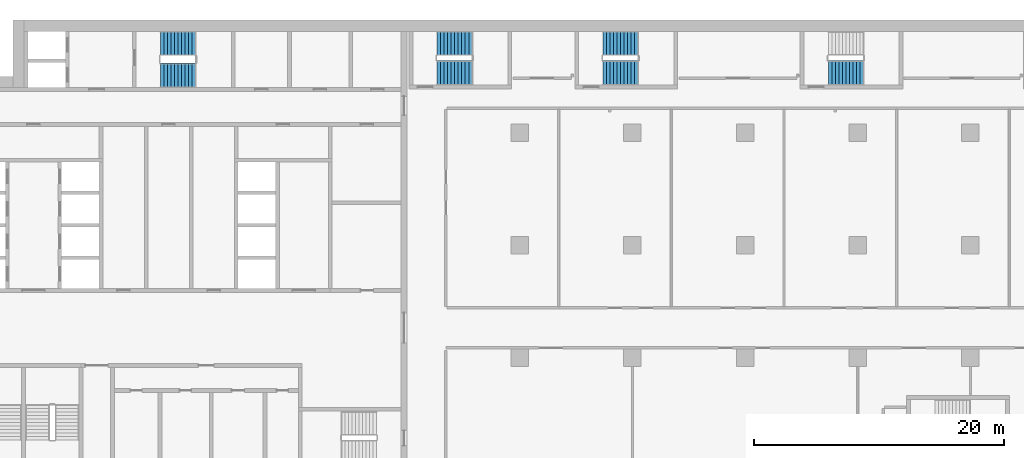
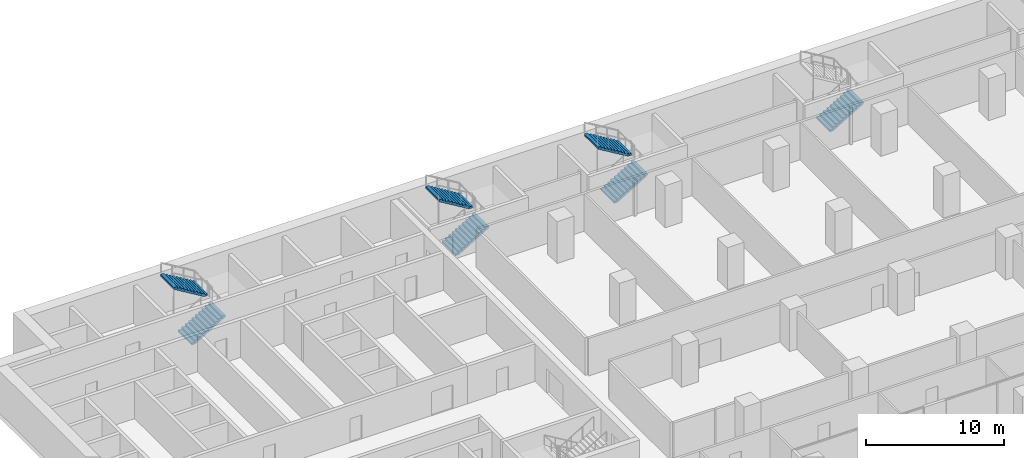
# One storey, part 22 of 29: 7 stair flights, 4 elements without a shape of their own.
"""IFC4 building model written with IfcOpenShell, lengths in metres."""

import ifcopenshell
import ifcopenshell.guid

model = None  # the IFC model being written
_history = None  # IfcOwnerHistory: only IFC2X3 demands one
_inside = {}  # id of a spatial element -> (the spatial element, [elements in it])
_under = {}  # id of a project, library or spatial element -> (it, [spatial elements below it])
_declared = {}  # id of a project -> (the project, [libraries it declares])
_typed = {}  # id of a type object -> (the type object, [elements of that type])
_made_of = {}  # id of a material, layer set ... -> (it, [elements and type objects made of it])


def new_model(schema):
    """Start an empty IFC model of exactly this schema.

    Asked for "IFC4X3", IfcOpenShell would pick the latest addendum, in which some entities
    have other attributes; the version numbers below select the first issue.
    IFC2X3 requires an IfcOwnerHistory on every rooted entity: one is made here for all.
    """
    global model, _history
    if schema == "IFC4X3":
        model = ifcopenshell.file(schema_version=(4, 3, 0, 0))
    else:
        model = ifcopenshell.file(schema=schema)
    _inside.clear()
    _under.clear()
    _declared.clear()
    _typed.clear()
    _made_of.clear()
    _history = None
    if model.schema == "IFC2X3":
        org = make("IfcOrganization", Name="unknown")
        user = make(
            "IfcPersonAndOrganization",
            ThePerson=make("IfcPerson", FamilyName="unknown"),
            TheOrganization=org,
        )
        app = make(
            "IfcApplication",
            ApplicationDeveloper=org,
            Version="unknown",
            ApplicationFullName="unknown",
            ApplicationIdentifier="unknown",
        )
        _history = make(
            "IfcOwnerHistory",
            OwningUser=user,
            OwningApplication=app,
            ChangeAction="ADDED",
            CreationDate=0,
        )
    return model


def make(cls, **values):
    """One entity of the class cls with the attributes given. An attribute that is None is left unset."""
    return model.create_entity(
        cls, **{name: value for name, value in values.items() if value is not None}
    )


def rooted(cls, **values):
    """An entity with a GlobalId (a new one), such as an element, a storey or a relation."""
    return make(cls, GlobalId=ifcopenshell.guid.new(), OwnerHistory=_history, **values)


def si_unit(unit_type, name, prefix=None):
    """IfcSIUnit, for example si_unit("LENGTHUNIT", "METRE", prefix="MILLI")."""
    return make("IfcSIUnit", UnitType=unit_type, Prefix=prefix, Name=name)


def assignment(units):
    """IfcUnitAssignment: the units of a project."""
    return None if units is None else make("IfcUnitAssignment", Units=units)


def point(xyz):
    """IfcCartesianPoint."""
    return None if xyz is None else make("IfcCartesianPoint", Coordinates=xyz)


def direction(xyz):
    """IfcDirection."""
    return None if xyz is None else make("IfcDirection", DirectionRatios=xyz)


def frame(location, z_axis=None, x_axis=None):
    """IfcAxis2Placement3D, a coordinate frame: its origin and axes. An axis left out is left unset."""
    return make(
        "IfcAxis2Placement3D",
        Location=point(location),
        Axis=direction(z_axis),
        RefDirection=direction(x_axis),
    )


def origin():
    """The frame at (0, 0, 0) with its axes left unset."""
    return frame((0.0, 0.0, 0.0))


def place(relative_to, where):
    """IfcLocalPlacement: puts the frame where relative to a parent placement (None: the world)."""
    return make(
        "IfcLocalPlacement", PlacementRelTo=relative_to, RelativePlacement=where
    )


def context(
    kind, dimensions, precision=None, world=None, true_north=None, identifier=None
):
    """IfcGeometricRepresentationContext, for example the 3D "Model" context."""
    return make(
        "IfcGeometricRepresentationContext",
        ContextIdentifier=identifier,
        ContextType=kind,
        CoordinateSpaceDimension=dimensions,
        Precision=precision,
        WorldCoordinateSystem=world,
        TrueNorth=true_north,
    )


def subcontext(parent, identifier, kind, view, scale=None):
    """IfcGeometricRepresentationSubContext, for example "Body" below "Model"."""
    return make(
        "IfcGeometricRepresentationSubContext",
        ContextIdentifier=identifier,
        ContextType=kind,
        ParentContext=parent,
        TargetScale=scale,
        TargetView=view,
    )


def project(units=None, contexts=None):
    """IfcProject with its units and contexts."""
    return rooted(
        "IfcProject",
        Name="project",
        RepresentationContexts=contexts,
        UnitsInContext=assignment(units),
    )


def spatial(cls, under=None, at=None, **own):
    """A site, building, storey or space (cls), placed at a placement, below another one or the project."""
    s = rooted(cls, ObjectPlacement=at, **own)
    if under is not None:
        _under.setdefault(under.id(), (under, []))[1].append(s)
    return s


def polyline(points):
    """IfcPolyline through the points."""
    return make("IfcPolyline", Points=[point(p) for p in points])


def outline(outer, holes=None, kind="AREA"):
    """IfcArbitraryClosedProfileDef: a profile drawn as a closed curve; with holes, ...WithVoids."""
    if holes is None:
        return make("IfcArbitraryClosedProfileDef", ProfileType=kind, OuterCurve=outer)
    return make(
        "IfcArbitraryProfileDefWithVoids",
        ProfileType=kind,
        OuterCurve=outer,
        InnerCurves=holes,
    )


def extrude(swept, where, along, depth):
    """IfcExtrudedAreaSolid: the profile swept, set in the frame where, extruded along a direction by depth."""
    return make(
        "IfcExtrudedAreaSolid",
        SweptArea=swept,
        Position=where,
        ExtrudedDirection=direction(along),
        Depth=depth,
    )


def shape(context_of_items, identifier, shape_type, items):
    """IfcShapeRepresentation: the items that make up one representation, for example the "Body"."""
    return make(
        "IfcShapeRepresentation",
        ContextOfItems=context_of_items,
        RepresentationIdentifier=identifier,
        RepresentationType=shape_type,
        Items=items,
    )


def material(Name=None, Category=None):
    """IfcMaterial."""
    return make("IfcMaterial", Name=Name, Category=Category)


def made_of(thing, what):
    """Note that an element or type object is made of a material, layer set ...; save() writes the relation."""
    if what is not None:
        _made_of.setdefault(what.id(), (what, []))[1].append(thing)
    return thing


def type_object(cls, material=None, **own):
    """A type object (cls), such as IfcWallType, which elements share."""
    return made_of(rooted(cls, **own), material)


def element(
    cls,
    number,
    at=None,
    inside=None,
    cuts=None,
    type_object=None,
    material=None,
    context=None,
    identifier="Body",
    shape_type=None,
    held_by="IfcProductDefinitionShape",
    body=None,
    shapes=None,
    **own,
):
    """One element of the class cls, such as IfcWall. Its Tag is "e" and its number.

    at: its placement. inside: the storey or other place that contains it. cuts: it is an
    opening in that element (IfcRelVoidsElement). A single representation is given by context,
    identifier, shape_type and body (its items); several are given by shapes. held_by: the class
    of the entity that holds the representations. save() writes the other relations.
    """
    e = rooted(cls, Tag="e%d" % number, ObjectPlacement=at, **own)
    if body is not None:
        shapes = [shape(context, identifier, shape_type, body)]
    if shapes is not None:
        e.Representation = make(held_by, Representations=shapes)
    if inside is not None:
        _inside.setdefault(inside.id(), (inside, []))[1].append(e)
    if cuts is not None:
        rooted(
            "IfcRelVoidsElement", RelatingBuildingElement=cuts, RelatedOpeningElement=e
        )
    if type_object is not None:
        _typed.setdefault(type_object.id(), (type_object, []))[1].append(e)
    return made_of(e, material)


def aggregate(whole, parts):
    """IfcRelAggregates: a whole, such as a stair, and the parts it consists of."""
    return rooted("IfcRelAggregates", RelatingObject=whole, RelatedObjects=parts)


def save(model, path):
    """Write the relations noted so far, then the file.

    IfcRelAggregates (storeys below a building ...), IfcRelContainedInSpatialStructure (elements
    in a storey), IfcRelDefinesByType, IfcRelAssociatesMaterial and IfcRelDeclares: one each for
    every whole, place, type object, material and project.
    """
    for whole, parts in _under.values():
        aggregate(whole, parts)
    for where, things in _inside.values():
        rooted(
            "IfcRelContainedInSpatialStructure",
            RelatedElements=things,
            RelatingStructure=where,
        )
    for kind, things in _typed.values():
        rooted("IfcRelDefinesByType", RelatedObjects=things, RelatingType=kind)
    for what, things in _made_of.values():
        rooted("IfcRelAssociatesMaterial", RelatedObjects=things, RelatingMaterial=what)
    for by, libraries in _declared.values():
        rooted("IfcRelDeclares", RelatingContext=by, RelatedDefinitions=libraries)
    model.write(path)


model = new_model("IFC4")

# Units and contexts
model_context = context("Model", 3, precision=1e-05, world=origin(), true_north=direction((0.0, 1.0)))
body_context = subcontext(model_context, "Body", "Model", "MODEL_VIEW")
ifc_project = project(units=[si_unit("LENGTHUNIT", "METRE"), si_unit("AREAUNIT", "SQUARE_METRE"), si_unit("VOLUMEUNIT", "CUBIC_METRE"), si_unit("PLANEANGLEUNIT", "RADIAN"), si_unit("MASSUNIT", "GRAM", prefix="KILO")], contexts=[model_context])

# Site, building, storey
site_placement = place(None, origin())
site = spatial("IfcSite", under=ifc_project, at=site_placement, CompositionType="ELEMENT")
building_placement = place(site_placement, origin())
building = spatial("IfcBuilding", under=site, at=building_placement, Name="Hunhe Ridgeline Campus", CompositionType="ELEMENT")
storey_placement = place(building_placement, frame((0.0, 0.0, 46.89990234375)))
storey = spatial("IfcBuildingStorey", under=building, at=storey_placement, Name="L10", CompositionType="ELEMENT", Elevation=46.89990234375)

# Stair, stair flights
ifc_material = material(Name="Concrete C40", Category="concrete")
stair_type = type_object("IfcStairType", Name="Reinforced concrete dog-leg stair 1950 Concrete C40", PredefinedType="HALF_TURN_STAIR", material=ifc_material)
stair_1_placement = place(storey_placement, origin())
stair_1 = element("IfcStair", 1, at=stair_1_placement, inside=storey, type_object=stair_type, Name="L10 S1", PredefinedType="HALF_TURN_STAIR")
stair_flight_type = type_object("IfcStairFlightType", Name="Reinforced concrete stair flight 1950 Concrete C40", PredefinedType="STRAIGHT", material=ifc_material)
stair_flight_1_placement = place(storey_placement, frame((16.300048828125, 94.574951171875, 0.0), z_axis=(0.0, 0.0, 1.0), x_axis=(1.0, 0.0, 0.0)))
stair_flight_1 = element("IfcStairFlight", 2, at=stair_flight_1_placement, type_object=stair_flight_type, Name="ST1 flight 1", NumberOfRisers=11, NumberOfTreads=10, PredefinedType="STRAIGHT", RiserHeight=0.168181818, TreadLength=0.28, context=body_context, shape_type="SweptSolid", body=[
    extrude(outline(polyline([(0.0, 0.0), (0.0, 0.168212890625), (0.280029296875, 0.168212890625), (0.280029296875, 0.33642578125), (0.56005859375, 0.33642578125), (0.56005859375, 0.504638671875), (0.840087890625, 0.504638671875), (0.840087890625, 0.672607421875), (1.1201171875, 0.672607421875), (1.1201171875, 0.8408203125), (1.39990234375, 0.8408203125), (1.39990234375, 1.009033203125), (1.679931640625, 1.009033203125), (1.679931640625, 1.17724609375), (1.9599609375, 1.17724609375), (1.9599609375, 1.345458984375), (2.239990234375, 1.345458984375), (2.239990234375, 1.513671875), (2.52001953125, 1.513671875), (2.52001953125, 1.681884765625), (2.800048828125, 1.681884765625), (2.800048828125, 1.85009765625), (2.800048828125, 1.5068359375), (0.291015625, 0.0), (0.0, 0.0)])), frame((0.0, 0.97509765625, 0.0), z_axis=(0.0, -1.0, 0.0), x_axis=(1.0, 0.0, 0.0)), (0.0, 0.0, 1.0), 1.949951171875),
    extrude(outline(polyline([(0.030029296875, 0.030029296875), (0.030029296875, 0.13818359375), (0.31005859375, 0.13818359375), (0.31005859375, 0.306396484375), (0.590087890625, 0.306396484375), (0.590087890625, 0.474609375), (0.8701171875, 0.474609375), (0.8701171875, 0.642578125), (1.14990234375, 0.642578125), (1.14990234375, 0.810791015625), (1.429931640625, 0.810791015625), (1.429931640625, 0.97900390625), (1.7099609375, 0.97900390625), (1.7099609375, 1.147216796875), (1.989990234375, 1.147216796875), (1.989990234375, 1.3154296875), (2.27001953125, 1.3154296875), (2.27001953125, 1.483642578125), (2.550048828125, 1.483642578125), (2.550048828125, 1.65185546875), (2.77001953125, 1.65185546875), (2.77001953125, 1.52392578125), (0.28271484375, 0.030029296875), (0.030029296875, 0.030029296875)])), frame((0.0, -0.070068359375, 0.0), z_axis=(0.0, -1.0, 0.0), x_axis=(1.0, 0.0, 0.0)), (0.0, 0.0, 1.0), 0.019775390625),
    extrude(outline(polyline([(0.030029296875, 0.030029296875), (0.030029296875, 0.13818359375), (0.31005859375, 0.13818359375), (0.31005859375, 0.306396484375), (0.590087890625, 0.306396484375), (0.590087890625, 0.474609375), (0.8701171875, 0.474609375), (0.8701171875, 0.642578125), (1.14990234375, 0.642578125), (1.14990234375, 0.810791015625), (1.429931640625, 0.810791015625), (1.429931640625, 0.97900390625), (1.7099609375, 0.97900390625), (1.7099609375, 1.147216796875), (1.989990234375, 1.147216796875), (1.989990234375, 1.3154296875), (2.27001953125, 1.3154296875), (2.27001953125, 1.483642578125), (2.550048828125, 1.483642578125), (2.550048828125, 1.65185546875), (2.77001953125, 1.65185546875), (2.77001953125, 1.52392578125), (0.28271484375, 0.030029296875), (0.030029296875, 0.030029296875)])), frame((0.0, 0.010009765625, 0.0), z_axis=(0.0, -1.0, 0.0), x_axis=(1.0, 0.0, 0.0)), (0.0, 0.0, 1.0), 0.019775390625),
    extrude(outline(polyline([(0.030029296875, 0.030029296875), (0.030029296875, 0.13818359375), (0.31005859375, 0.13818359375), (0.31005859375, 0.306396484375), (0.590087890625, 0.306396484375), (0.590087890625, 0.474609375), (0.8701171875, 0.474609375), (0.8701171875, 0.642578125), (1.14990234375, 0.642578125), (1.14990234375, 0.810791015625), (1.429931640625, 0.810791015625), (1.429931640625, 0.97900390625), (1.7099609375, 0.97900390625), (1.7099609375, 1.147216796875), (1.989990234375, 1.147216796875), (1.989990234375, 1.3154296875), (2.27001953125, 1.3154296875), (2.27001953125, 1.483642578125), (2.550048828125, 1.483642578125), (2.550048828125, 1.65185546875), (2.77001953125, 1.65185546875), (2.77001953125, 1.52392578125), (0.28271484375, 0.030029296875), (0.030029296875, 0.030029296875)])), frame((0.0, 0.090087890625, 0.0), z_axis=(0.0, -1.0, 0.0), x_axis=(1.0, 0.0, 0.0)), (0.0, 0.0, 1.0), 0.019775390625),
])
stair_flight_2_placement = place(storey_placement, frame((19.10009765625, 97.125, 1.85009765625), z_axis=(0.0, 0.0, 1.0), x_axis=(-1.0, 0.0, 0.0)))
stair_flight_2 = element("IfcStairFlight", 3, at=stair_flight_2_placement, type_object=stair_flight_type, Name="ST1 flight 2", NumberOfRisers=11, NumberOfTreads=10, PredefinedType="STRAIGHT", RiserHeight=0.168181818, TreadLength=0.28, context=body_context, shape_type="SweptSolid", body=[
    extrude(outline(polyline([(0.0, 0.0), (0.0, 0.168212890625), (0.280029296875, 0.168212890625), (0.280029296875, 0.33642578125), (0.56005859375, 0.33642578125), (0.56005859375, 0.504638671875), (0.840087890625, 0.504638671875), (0.840087890625, 0.672607421875), (1.1201171875, 0.672607421875), (1.1201171875, 0.8408203125), (1.39990234375, 0.8408203125), (1.39990234375, 1.009033203125), (1.679931640625, 1.009033203125), (1.679931640625, 1.17724609375), (1.9599609375, 1.17724609375), (1.9599609375, 1.345458984375), (2.239990234375, 1.345458984375), (2.239990234375, 1.513671875), (2.52001953125, 1.513671875), (2.52001953125, 1.681884765625), (2.800048828125, 1.681884765625), (2.800048828125, 1.85009765625), (2.800048828125, 1.5068359375), (0.291015625, 0.0), (0.0, 0.0)])), frame((0.0, 0.97509765625, 0.0), z_axis=(0.0, -1.0, 0.0), x_axis=(1.0, 0.0, 0.0)), (0.0, 0.0, 1.0), 1.949951171875),
    extrude(outline(polyline([(0.030029296875, 0.030029296875), (0.030029296875, 0.13818359375), (0.31005859375, 0.13818359375), (0.31005859375, 0.306396484375), (0.590087890625, 0.306396484375), (0.590087890625, 0.474609375), (0.8701171875, 0.474609375), (0.8701171875, 0.642578125), (1.14990234375, 0.642578125), (1.14990234375, 0.810791015625), (1.429931640625, 0.810791015625), (1.429931640625, 0.97900390625), (1.7099609375, 0.97900390625), (1.7099609375, 1.147216796875), (1.989990234375, 1.147216796875), (1.989990234375, 1.3154296875), (2.27001953125, 1.3154296875), (2.27001953125, 1.483642578125), (2.550048828125, 1.483642578125), (2.550048828125, 1.65185546875), (2.77001953125, 1.65185546875), (2.77001953125, 1.52392578125), (0.28271484375, 0.030029296875), (0.030029296875, 0.030029296875)])), frame((0.0, -0.070068359375, 0.0), z_axis=(0.0, -1.0, 0.0), x_axis=(1.0, 0.0, 0.0)), (0.0, 0.0, 1.0), 0.019775390625),
    extrude(outline(polyline([(0.030029296875, 0.030029296875), (0.030029296875, 0.13818359375), (0.31005859375, 0.13818359375), (0.31005859375, 0.306396484375), (0.590087890625, 0.306396484375), (0.590087890625, 0.474609375), (0.8701171875, 0.474609375), (0.8701171875, 0.642578125), (1.14990234375, 0.642578125), (1.14990234375, 0.810791015625), (1.429931640625, 0.810791015625), (1.429931640625, 0.97900390625), (1.7099609375, 0.97900390625), (1.7099609375, 1.147216796875), (1.989990234375, 1.147216796875), (1.989990234375, 1.3154296875), (2.27001953125, 1.3154296875), (2.27001953125, 1.483642578125), (2.550048828125, 1.483642578125), (2.550048828125, 1.65185546875), (2.77001953125, 1.65185546875), (2.77001953125, 1.52392578125), (0.28271484375, 0.030029296875), (0.030029296875, 0.030029296875)])), frame((0.0, 0.010009765625, 0.0), z_axis=(0.0, -1.0, 0.0), x_axis=(1.0, 0.0, 0.0)), (0.0, 0.0, 1.0), 0.019775390625),
    extrude(outline(polyline([(0.030029296875, 0.030029296875), (0.030029296875, 0.13818359375), (0.31005859375, 0.13818359375), (0.31005859375, 0.306396484375), (0.590087890625, 0.306396484375), (0.590087890625, 0.474609375), (0.8701171875, 0.474609375), (0.8701171875, 0.642578125), (1.14990234375, 0.642578125), (1.14990234375, 0.810791015625), (1.429931640625, 0.810791015625), (1.429931640625, 0.97900390625), (1.7099609375, 0.97900390625), (1.7099609375, 1.147216796875), (1.989990234375, 1.147216796875), (1.989990234375, 1.3154296875), (2.27001953125, 1.3154296875), (2.27001953125, 1.483642578125), (2.550048828125, 1.483642578125), (2.550048828125, 1.65185546875), (2.77001953125, 1.65185546875), (2.77001953125, 1.52392578125), (0.28271484375, 0.030029296875), (0.030029296875, 0.030029296875)])), frame((0.0, 0.090087890625, 0.0), z_axis=(0.0, -1.0, 0.0), x_axis=(1.0, 0.0, 0.0)), (0.0, 0.0, 1.0), 0.019775390625),
])
aggregate(stair_1, [stair_flight_1, stair_flight_2])

stair_2_placement = place(storey_placement, origin())
stair_2 = element("IfcStair", 4, at=stair_2_placement, inside=storey, type_object=stair_type, Name="L10 E1", PredefinedType="HALF_TURN_STAIR")
stair_flight_3_placement = place(storey_placement, frame((38.39990234375, 94.77490234375, 0.0), z_axis=(0.0, 0.0, 1.0), x_axis=(1.0, 0.0, 0.0)))
stair_flight_3 = element("IfcStairFlight", 5, at=stair_flight_3_placement, type_object=stair_flight_type, Name="ST5 flight 1", NumberOfRisers=11, NumberOfTreads=10, PredefinedType="STRAIGHT", RiserHeight=0.168181818, TreadLength=0.28, context=body_context, shape_type="SweptSolid", body=[
    extrude(outline(polyline([(0.0, 0.0), (0.0, 0.168212890625), (0.280029296875, 0.168212890625), (0.280029296875, 0.33642578125), (0.56005859375, 0.33642578125), (0.56005859375, 0.504638671875), (0.840087890625, 0.504638671875), (0.840087890625, 0.672607421875), (1.1201171875, 0.672607421875), (1.1201171875, 0.8408203125), (1.39990234375, 0.8408203125), (1.39990234375, 1.009033203125), (1.679931640625, 1.009033203125), (1.679931640625, 1.17724609375), (1.9599609375, 1.17724609375), (1.9599609375, 1.345458984375), (2.239990234375, 1.345458984375), (2.239990234375, 1.513671875), (2.52001953125, 1.513671875), (2.52001953125, 1.681884765625), (2.800048828125, 1.681884765625), (2.800048828125, 1.85009765625), (2.800048828125, 1.5068359375), (0.291015625, 0.0), (0.0, 0.0)])), frame((0.0, 0.97509765625, 0.0), z_axis=(0.0, -1.0, 0.0), x_axis=(1.0, 0.0, 0.0)), (0.0, 0.0, 1.0), 1.949951171875),
    extrude(outline(polyline([(0.030029296875, 0.030029296875), (0.030029296875, 0.13818359375), (0.31005859375, 0.13818359375), (0.31005859375, 0.306396484375), (0.590087890625, 0.306396484375), (0.590087890625, 0.474609375), (0.8701171875, 0.474609375), (0.8701171875, 0.642578125), (1.14990234375, 0.642578125), (1.14990234375, 0.810791015625), (1.429931640625, 0.810791015625), (1.429931640625, 0.97900390625), (1.7099609375, 0.97900390625), (1.7099609375, 1.147216796875), (1.989990234375, 1.147216796875), (1.989990234375, 1.3154296875), (2.27001953125, 1.3154296875), (2.27001953125, 1.483642578125), (2.550048828125, 1.483642578125), (2.550048828125, 1.65185546875), (2.77001953125, 1.65185546875), (2.77001953125, 1.52392578125), (0.28271484375, 0.030029296875), (0.030029296875, 0.030029296875)])), frame((0.0, -0.070068359375, 0.0), z_axis=(0.0, -1.0, 0.0), x_axis=(1.0, 0.0, 0.0)), (0.0, 0.0, 1.0), 0.019775390625),
    extrude(outline(polyline([(0.030029296875, 0.030029296875), (0.030029296875, 0.13818359375), (0.31005859375, 0.13818359375), (0.31005859375, 0.306396484375), (0.590087890625, 0.306396484375), (0.590087890625, 0.474609375), (0.8701171875, 0.474609375), (0.8701171875, 0.642578125), (1.14990234375, 0.642578125), (1.14990234375, 0.810791015625), (1.429931640625, 0.810791015625), (1.429931640625, 0.97900390625), (1.7099609375, 0.97900390625), (1.7099609375, 1.147216796875), (1.989990234375, 1.147216796875), (1.989990234375, 1.3154296875), (2.27001953125, 1.3154296875), (2.27001953125, 1.483642578125), (2.550048828125, 1.483642578125), (2.550048828125, 1.65185546875), (2.77001953125, 1.65185546875), (2.77001953125, 1.52392578125), (0.28271484375, 0.030029296875), (0.030029296875, 0.030029296875)])), frame((0.0, 0.010009765625, 0.0), z_axis=(0.0, -1.0, 0.0), x_axis=(1.0, 0.0, 0.0)), (0.0, 0.0, 1.0), 0.019775390625),
    extrude(outline(polyline([(0.030029296875, 0.030029296875), (0.030029296875, 0.13818359375), (0.31005859375, 0.13818359375), (0.31005859375, 0.306396484375), (0.590087890625, 0.306396484375), (0.590087890625, 0.474609375), (0.8701171875, 0.474609375), (0.8701171875, 0.642578125), (1.14990234375, 0.642578125), (1.14990234375, 0.810791015625), (1.429931640625, 0.810791015625), (1.429931640625, 0.97900390625), (1.7099609375, 0.97900390625), (1.7099609375, 1.147216796875), (1.989990234375, 1.147216796875), (1.989990234375, 1.3154296875), (2.27001953125, 1.3154296875), (2.27001953125, 1.483642578125), (2.550048828125, 1.483642578125), (2.550048828125, 1.65185546875), (2.77001953125, 1.65185546875), (2.77001953125, 1.52392578125), (0.28271484375, 0.030029296875), (0.030029296875, 0.030029296875)])), frame((0.0, 0.090087890625, 0.0), z_axis=(0.0, -1.0, 0.0), x_axis=(1.0, 0.0, 0.0)), (0.0, 0.0, 1.0), 0.019775390625),
])
stair_flight_4_placement = place(storey_placement, frame((41.199951171875, 97.125, 1.85009765625), z_axis=(0.0, 0.0, 1.0), x_axis=(-1.0, 0.0, 0.0)))
stair_flight_4 = element("IfcStairFlight", 6, at=stair_flight_4_placement, type_object=stair_flight_type, Name="ST5 flight 2", NumberOfRisers=11, NumberOfTreads=10, PredefinedType="STRAIGHT", RiserHeight=0.168181818, TreadLength=0.28, context=body_context, shape_type="SweptSolid", body=[
    extrude(outline(polyline([(0.0, 0.0), (0.0, 0.168212890625), (0.280029296875, 0.168212890625), (0.280029296875, 0.33642578125), (0.56005859375, 0.33642578125), (0.56005859375, 0.504638671875), (0.840087890625, 0.504638671875), (0.840087890625, 0.672607421875), (1.1201171875, 0.672607421875), (1.1201171875, 0.8408203125), (1.39990234375, 0.8408203125), (1.39990234375, 1.009033203125), (1.679931640625, 1.009033203125), (1.679931640625, 1.17724609375), (1.9599609375, 1.17724609375), (1.9599609375, 1.345458984375), (2.239990234375, 1.345458984375), (2.239990234375, 1.513671875), (2.52001953125, 1.513671875), (2.52001953125, 1.681884765625), (2.800048828125, 1.681884765625), (2.800048828125, 1.85009765625), (2.800048828125, 1.5068359375), (0.291015625, 0.0), (0.0, 0.0)])), frame((0.0, 0.97509765625, 0.0), z_axis=(0.0, -1.0, 0.0), x_axis=(1.0, 0.0, 0.0)), (0.0, 0.0, 1.0), 1.949951171875),
    extrude(outline(polyline([(0.030029296875, 0.030029296875), (0.030029296875, 0.13818359375), (0.31005859375, 0.13818359375), (0.31005859375, 0.306396484375), (0.590087890625, 0.306396484375), (0.590087890625, 0.474609375), (0.8701171875, 0.474609375), (0.8701171875, 0.642578125), (1.14990234375, 0.642578125), (1.14990234375, 0.810791015625), (1.429931640625, 0.810791015625), (1.429931640625, 0.97900390625), (1.7099609375, 0.97900390625), (1.7099609375, 1.147216796875), (1.989990234375, 1.147216796875), (1.989990234375, 1.3154296875), (2.27001953125, 1.3154296875), (2.27001953125, 1.483642578125), (2.550048828125, 1.483642578125), (2.550048828125, 1.65185546875), (2.77001953125, 1.65185546875), (2.77001953125, 1.52392578125), (0.28271484375, 0.030029296875), (0.030029296875, 0.030029296875)])), frame((0.0, -0.070068359375, 0.0), z_axis=(0.0, -1.0, 0.0), x_axis=(1.0, 0.0, 0.0)), (0.0, 0.0, 1.0), 0.019775390625),
    extrude(outline(polyline([(0.030029296875, 0.030029296875), (0.030029296875, 0.13818359375), (0.31005859375, 0.13818359375), (0.31005859375, 0.306396484375), (0.590087890625, 0.306396484375), (0.590087890625, 0.474609375), (0.8701171875, 0.474609375), (0.8701171875, 0.642578125), (1.14990234375, 0.642578125), (1.14990234375, 0.810791015625), (1.429931640625, 0.810791015625), (1.429931640625, 0.97900390625), (1.7099609375, 0.97900390625), (1.7099609375, 1.147216796875), (1.989990234375, 1.147216796875), (1.989990234375, 1.3154296875), (2.27001953125, 1.3154296875), (2.27001953125, 1.483642578125), (2.550048828125, 1.483642578125), (2.550048828125, 1.65185546875), (2.77001953125, 1.65185546875), (2.77001953125, 1.52392578125), (0.28271484375, 0.030029296875), (0.030029296875, 0.030029296875)])), frame((0.0, 0.010009765625, 0.0), z_axis=(0.0, -1.0, 0.0), x_axis=(1.0, 0.0, 0.0)), (0.0, 0.0, 1.0), 0.019775390625),
    extrude(outline(polyline([(0.030029296875, 0.030029296875), (0.030029296875, 0.13818359375), (0.31005859375, 0.13818359375), (0.31005859375, 0.306396484375), (0.590087890625, 0.306396484375), (0.590087890625, 0.474609375), (0.8701171875, 0.474609375), (0.8701171875, 0.642578125), (1.14990234375, 0.642578125), (1.14990234375, 0.810791015625), (1.429931640625, 0.810791015625), (1.429931640625, 0.97900390625), (1.7099609375, 0.97900390625), (1.7099609375, 1.147216796875), (1.989990234375, 1.147216796875), (1.989990234375, 1.3154296875), (2.27001953125, 1.3154296875), (2.27001953125, 1.483642578125), (2.550048828125, 1.483642578125), (2.550048828125, 1.65185546875), (2.77001953125, 1.65185546875), (2.77001953125, 1.52392578125), (0.28271484375, 0.030029296875), (0.030029296875, 0.030029296875)])), frame((0.0, 0.090087890625, 0.0), z_axis=(0.0, -1.0, 0.0), x_axis=(1.0, 0.0, 0.0)), (0.0, 0.0, 1.0), 0.019775390625),
])
aggregate(stair_2, [stair_flight_3, stair_flight_4])

stair_3_placement = place(storey_placement, origin())
stair_3 = element("IfcStair", 7, at=stair_3_placement, inside=storey, type_object=stair_type, Name="L10 E2", PredefinedType="HALF_TURN_STAIR")
stair_flight_5_placement = place(storey_placement, frame((51.64990234375, 94.77490234375, 0.0), z_axis=(0.0, 0.0, 1.0), x_axis=(1.0, 0.0, 0.0)))
stair_flight_5 = element("IfcStairFlight", 8, at=stair_flight_5_placement, type_object=stair_flight_type, Name="ST6 flight 1", NumberOfRisers=11, NumberOfTreads=10, PredefinedType="STRAIGHT", RiserHeight=0.168181818, TreadLength=0.28, context=body_context, shape_type="SweptSolid", body=[
    extrude(outline(polyline([(0.0, 0.0), (0.0, 0.168212890625), (0.280029296875, 0.168212890625), (0.280029296875, 0.33642578125), (0.56005859375, 0.33642578125), (0.56005859375, 0.504638671875), (0.840087890625, 0.504638671875), (0.840087890625, 0.672607421875), (1.1201171875, 0.672607421875), (1.1201171875, 0.8408203125), (1.39990234375, 0.8408203125), (1.39990234375, 1.009033203125), (1.679931640625, 1.009033203125), (1.679931640625, 1.17724609375), (1.9599609375, 1.17724609375), (1.9599609375, 1.345458984375), (2.239990234375, 1.345458984375), (2.239990234375, 1.513671875), (2.52001953125, 1.513671875), (2.52001953125, 1.681884765625), (2.800048828125, 1.681884765625), (2.800048828125, 1.85009765625), (2.800048828125, 1.5068359375), (0.291015625, 0.0), (0.0, 0.0)])), frame((0.0, 0.97509765625, 0.0), z_axis=(0.0, -1.0, 0.0), x_axis=(1.0, 0.0, 0.0)), (0.0, 0.0, 1.0), 1.949951171875),
    extrude(outline(polyline([(0.030029296875, 0.030029296875), (0.030029296875, 0.13818359375), (0.31005859375, 0.13818359375), (0.31005859375, 0.306396484375), (0.590087890625, 0.306396484375), (0.590087890625, 0.474609375), (0.8701171875, 0.474609375), (0.8701171875, 0.642578125), (1.14990234375, 0.642578125), (1.14990234375, 0.810791015625), (1.429931640625, 0.810791015625), (1.429931640625, 0.97900390625), (1.7099609375, 0.97900390625), (1.7099609375, 1.147216796875), (1.989990234375, 1.147216796875), (1.989990234375, 1.3154296875), (2.27001953125, 1.3154296875), (2.27001953125, 1.483642578125), (2.550048828125, 1.483642578125), (2.550048828125, 1.65185546875), (2.77001953125, 1.65185546875), (2.77001953125, 1.52392578125), (0.28271484375, 0.030029296875), (0.030029296875, 0.030029296875)])), frame((0.0, -0.070068359375, 0.0), z_axis=(0.0, -1.0, 0.0), x_axis=(1.0, 0.0, 0.0)), (0.0, 0.0, 1.0), 0.019775390625),
    extrude(outline(polyline([(0.030029296875, 0.030029296875), (0.030029296875, 0.13818359375), (0.31005859375, 0.13818359375), (0.31005859375, 0.306396484375), (0.590087890625, 0.306396484375), (0.590087890625, 0.474609375), (0.8701171875, 0.474609375), (0.8701171875, 0.642578125), (1.14990234375, 0.642578125), (1.14990234375, 0.810791015625), (1.429931640625, 0.810791015625), (1.429931640625, 0.97900390625), (1.7099609375, 0.97900390625), (1.7099609375, 1.147216796875), (1.989990234375, 1.147216796875), (1.989990234375, 1.3154296875), (2.27001953125, 1.3154296875), (2.27001953125, 1.483642578125), (2.550048828125, 1.483642578125), (2.550048828125, 1.65185546875), (2.77001953125, 1.65185546875), (2.77001953125, 1.52392578125), (0.28271484375, 0.030029296875), (0.030029296875, 0.030029296875)])), frame((0.0, 0.010009765625, 0.0), z_axis=(0.0, -1.0, 0.0), x_axis=(1.0, 0.0, 0.0)), (0.0, 0.0, 1.0), 0.019775390625),
    extrude(outline(polyline([(0.030029296875, 0.030029296875), (0.030029296875, 0.13818359375), (0.31005859375, 0.13818359375), (0.31005859375, 0.306396484375), (0.590087890625, 0.306396484375), (0.590087890625, 0.474609375), (0.8701171875, 0.474609375), (0.8701171875, 0.642578125), (1.14990234375, 0.642578125), (1.14990234375, 0.810791015625), (1.429931640625, 0.810791015625), (1.429931640625, 0.97900390625), (1.7099609375, 0.97900390625), (1.7099609375, 1.147216796875), (1.989990234375, 1.147216796875), (1.989990234375, 1.3154296875), (2.27001953125, 1.3154296875), (2.27001953125, 1.483642578125), (2.550048828125, 1.483642578125), (2.550048828125, 1.65185546875), (2.77001953125, 1.65185546875), (2.77001953125, 1.52392578125), (0.28271484375, 0.030029296875), (0.030029296875, 0.030029296875)])), frame((0.0, 0.090087890625, 0.0), z_axis=(0.0, -1.0, 0.0), x_axis=(1.0, 0.0, 0.0)), (0.0, 0.0, 1.0), 0.019775390625),
])
stair_flight_6_placement = place(storey_placement, frame((54.449951171875, 97.125, 1.85009765625), z_axis=(0.0, 0.0, 1.0), x_axis=(-1.0, 0.0, 0.0)))
stair_flight_6 = element("IfcStairFlight", 9, at=stair_flight_6_placement, type_object=stair_flight_type, Name="ST6 flight 2", NumberOfRisers=11, NumberOfTreads=10, PredefinedType="STRAIGHT", RiserHeight=0.168181818, TreadLength=0.28, context=body_context, shape_type="SweptSolid", body=[
    extrude(outline(polyline([(0.0, 0.0), (0.0, 0.168212890625), (0.280029296875, 0.168212890625), (0.280029296875, 0.33642578125), (0.56005859375, 0.33642578125), (0.56005859375, 0.504638671875), (0.840087890625, 0.504638671875), (0.840087890625, 0.672607421875), (1.1201171875, 0.672607421875), (1.1201171875, 0.8408203125), (1.39990234375, 0.8408203125), (1.39990234375, 1.009033203125), (1.679931640625, 1.009033203125), (1.679931640625, 1.17724609375), (1.9599609375, 1.17724609375), (1.9599609375, 1.345458984375), (2.239990234375, 1.345458984375), (2.239990234375, 1.513671875), (2.52001953125, 1.513671875), (2.52001953125, 1.681884765625), (2.800048828125, 1.681884765625), (2.800048828125, 1.85009765625), (2.800048828125, 1.5068359375), (0.291015625, 0.0), (0.0, 0.0)])), frame((0.0, 0.97509765625, 0.0), z_axis=(0.0, -1.0, 0.0), x_axis=(1.0, 0.0, 0.0)), (0.0, 0.0, 1.0), 1.949951171875),
    extrude(outline(polyline([(0.030029296875, 0.030029296875), (0.030029296875, 0.13818359375), (0.31005859375, 0.13818359375), (0.31005859375, 0.306396484375), (0.590087890625, 0.306396484375), (0.590087890625, 0.474609375), (0.8701171875, 0.474609375), (0.8701171875, 0.642578125), (1.14990234375, 0.642578125), (1.14990234375, 0.810791015625), (1.429931640625, 0.810791015625), (1.429931640625, 0.97900390625), (1.7099609375, 0.97900390625), (1.7099609375, 1.147216796875), (1.989990234375, 1.147216796875), (1.989990234375, 1.3154296875), (2.27001953125, 1.3154296875), (2.27001953125, 1.483642578125), (2.550048828125, 1.483642578125), (2.550048828125, 1.65185546875), (2.77001953125, 1.65185546875), (2.77001953125, 1.52392578125), (0.28271484375, 0.030029296875), (0.030029296875, 0.030029296875)])), frame((0.0, -0.070068359375, 0.0), z_axis=(0.0, -1.0, 0.0), x_axis=(1.0, 0.0, 0.0)), (0.0, 0.0, 1.0), 0.019775390625),
    extrude(outline(polyline([(0.030029296875, 0.030029296875), (0.030029296875, 0.13818359375), (0.31005859375, 0.13818359375), (0.31005859375, 0.306396484375), (0.590087890625, 0.306396484375), (0.590087890625, 0.474609375), (0.8701171875, 0.474609375), (0.8701171875, 0.642578125), (1.14990234375, 0.642578125), (1.14990234375, 0.810791015625), (1.429931640625, 0.810791015625), (1.429931640625, 0.97900390625), (1.7099609375, 0.97900390625), (1.7099609375, 1.147216796875), (1.989990234375, 1.147216796875), (1.989990234375, 1.3154296875), (2.27001953125, 1.3154296875), (2.27001953125, 1.483642578125), (2.550048828125, 1.483642578125), (2.550048828125, 1.65185546875), (2.77001953125, 1.65185546875), (2.77001953125, 1.52392578125), (0.28271484375, 0.030029296875), (0.030029296875, 0.030029296875)])), frame((0.0, 0.010009765625, 0.0), z_axis=(0.0, -1.0, 0.0), x_axis=(1.0, 0.0, 0.0)), (0.0, 0.0, 1.0), 0.019775390625),
    extrude(outline(polyline([(0.030029296875, 0.030029296875), (0.030029296875, 0.13818359375), (0.31005859375, 0.13818359375), (0.31005859375, 0.306396484375), (0.590087890625, 0.306396484375), (0.590087890625, 0.474609375), (0.8701171875, 0.474609375), (0.8701171875, 0.642578125), (1.14990234375, 0.642578125), (1.14990234375, 0.810791015625), (1.429931640625, 0.810791015625), (1.429931640625, 0.97900390625), (1.7099609375, 0.97900390625), (1.7099609375, 1.147216796875), (1.989990234375, 1.147216796875), (1.989990234375, 1.3154296875), (2.27001953125, 1.3154296875), (2.27001953125, 1.483642578125), (2.550048828125, 1.483642578125), (2.550048828125, 1.65185546875), (2.77001953125, 1.65185546875), (2.77001953125, 1.52392578125), (0.28271484375, 0.030029296875), (0.030029296875, 0.030029296875)])), frame((0.0, 0.090087890625, 0.0), z_axis=(0.0, -1.0, 0.0), x_axis=(1.0, 0.0, 0.0)), (0.0, 0.0, 1.0), 0.019775390625),
])
aggregate(stair_3, [stair_flight_5, stair_flight_6])

# Stair, stair flight
stair_4_placement = place(storey_placement, origin())
stair_4 = element("IfcStair", 10, at=stair_4_placement, inside=storey, type_object=stair_type, Name="L10 E3", PredefinedType="HALF_TURN_STAIR")
stair_flight_7_placement = place(storey_placement, frame((69.64990234375, 94.77490234375, 0.0), z_axis=(0.0, 0.0, 1.0), x_axis=(1.0, 0.0, 0.0)))
stair_flight_7 = element("IfcStairFlight", 11, at=stair_flight_7_placement, type_object=stair_flight_type, Name="ST7 flight 1", NumberOfRisers=11, NumberOfTreads=10, PredefinedType="STRAIGHT", RiserHeight=0.168181818, TreadLength=0.28, context=body_context, shape_type="SweptSolid", body=[
    extrude(outline(polyline([(0.0, 0.0), (0.0, 0.168212890625), (0.280029296875, 0.168212890625), (0.280029296875, 0.33642578125), (0.56005859375, 0.33642578125), (0.56005859375, 0.504638671875), (0.840087890625, 0.504638671875), (0.840087890625, 0.672607421875), (1.1201171875, 0.672607421875), (1.1201171875, 0.8408203125), (1.39990234375, 0.8408203125), (1.39990234375, 1.009033203125), (1.679931640625, 1.009033203125), (1.679931640625, 1.17724609375), (1.9599609375, 1.17724609375), (1.9599609375, 1.345458984375), (2.239990234375, 1.345458984375), (2.239990234375, 1.513671875), (2.52001953125, 1.513671875), (2.52001953125, 1.681884765625), (2.800048828125, 1.681884765625), (2.800048828125, 1.85009765625), (2.800048828125, 1.5068359375), (0.291015625, 0.0), (0.0, 0.0)])), frame((0.0, 0.97509765625, 0.0), z_axis=(0.0, -1.0, 0.0), x_axis=(1.0, 0.0, 0.0)), (0.0, 0.0, 1.0), 1.949951171875),
    extrude(outline(polyline([(0.030029296875, 0.030029296875), (0.030029296875, 0.13818359375), (0.31005859375, 0.13818359375), (0.31005859375, 0.306396484375), (0.590087890625, 0.306396484375), (0.590087890625, 0.474609375), (0.8701171875, 0.474609375), (0.8701171875, 0.642578125), (1.14990234375, 0.642578125), (1.14990234375, 0.810791015625), (1.429931640625, 0.810791015625), (1.429931640625, 0.97900390625), (1.7099609375, 0.97900390625), (1.7099609375, 1.147216796875), (1.989990234375, 1.147216796875), (1.989990234375, 1.3154296875), (2.27001953125, 1.3154296875), (2.27001953125, 1.483642578125), (2.550048828125, 1.483642578125), (2.550048828125, 1.65185546875), (2.77001953125, 1.65185546875), (2.77001953125, 1.52392578125), (0.28271484375, 0.030029296875), (0.030029296875, 0.030029296875)])), frame((0.0, -0.070068359375, 0.0), z_axis=(0.0, -1.0, 0.0), x_axis=(1.0, 0.0, 0.0)), (0.0, 0.0, 1.0), 0.019775390625),
    extrude(outline(polyline([(0.030029296875, 0.030029296875), (0.030029296875, 0.13818359375), (0.31005859375, 0.13818359375), (0.31005859375, 0.306396484375), (0.590087890625, 0.306396484375), (0.590087890625, 0.474609375), (0.8701171875, 0.474609375), (0.8701171875, 0.642578125), (1.14990234375, 0.642578125), (1.14990234375, 0.810791015625), (1.429931640625, 0.810791015625), (1.429931640625, 0.97900390625), (1.7099609375, 0.97900390625), (1.7099609375, 1.147216796875), (1.989990234375, 1.147216796875), (1.989990234375, 1.3154296875), (2.27001953125, 1.3154296875), (2.27001953125, 1.483642578125), (2.550048828125, 1.483642578125), (2.550048828125, 1.65185546875), (2.77001953125, 1.65185546875), (2.77001953125, 1.52392578125), (0.28271484375, 0.030029296875), (0.030029296875, 0.030029296875)])), frame((0.0, 0.010009765625, 0.0), z_axis=(0.0, -1.0, 0.0), x_axis=(1.0, 0.0, 0.0)), (0.0, 0.0, 1.0), 0.019775390625),
    extrude(outline(polyline([(0.030029296875, 0.030029296875), (0.030029296875, 0.13818359375), (0.31005859375, 0.13818359375), (0.31005859375, 0.306396484375), (0.590087890625, 0.306396484375), (0.590087890625, 0.474609375), (0.8701171875, 0.474609375), (0.8701171875, 0.642578125), (1.14990234375, 0.642578125), (1.14990234375, 0.810791015625), (1.429931640625, 0.810791015625), (1.429931640625, 0.97900390625), (1.7099609375, 0.97900390625), (1.7099609375, 1.147216796875), (1.989990234375, 1.147216796875), (1.989990234375, 1.3154296875), (2.27001953125, 1.3154296875), (2.27001953125, 1.483642578125), (2.550048828125, 1.483642578125), (2.550048828125, 1.65185546875), (2.77001953125, 1.65185546875), (2.77001953125, 1.52392578125), (0.28271484375, 0.030029296875), (0.030029296875, 0.030029296875)])), frame((0.0, 0.090087890625, 0.0), z_axis=(0.0, -1.0, 0.0), x_axis=(1.0, 0.0, 0.0)), (0.0, 0.0, 1.0), 0.019775390625),
])
aggregate(stair_4, [stair_flight_7])

save(model, "model.ifc")
